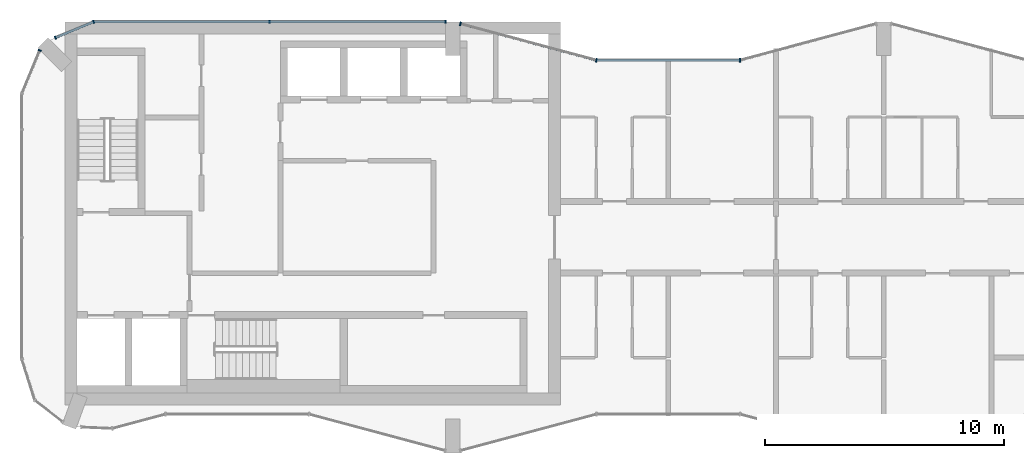
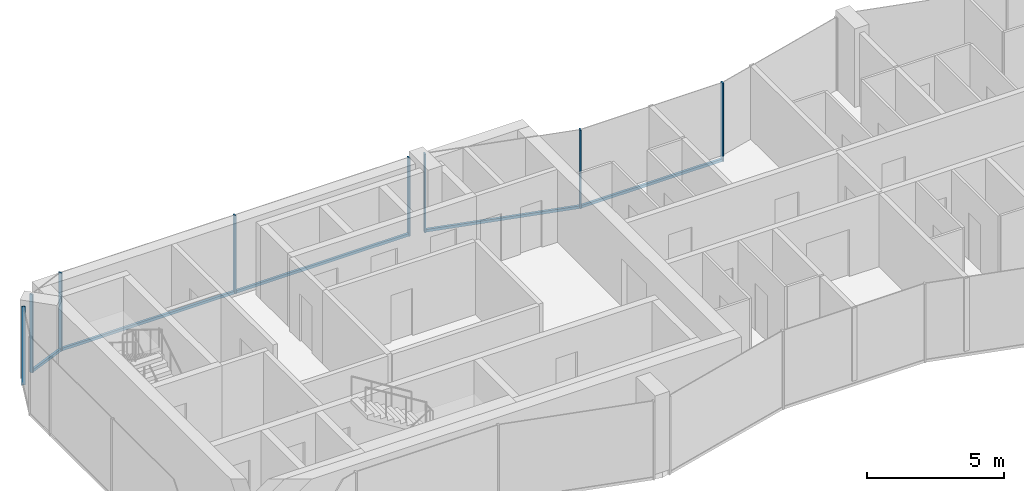
# One storey, part 4 of 10: 12 members, 5 elements without a shape of their own.
"""IFC4 building model written with IfcOpenShell, lengths in metres."""

from ifc_helpers import new_model, si_unit, direction, frame, origin, origin_2d, place, context, subcontext, project, spatial, rectangle, extrude, material, layer, layer_set, material_profile, profile_set, type_object, element, aggregate, save


model = new_model("IFC4")

# Units and contexts
model_context = context("Model", 3, precision=1e-05, world=origin(), true_north=direction((0.0, 1.0)))
body_context = subcontext(model_context, "Body", "Model", "MODEL_VIEW")
ifc_project = project(units=[si_unit("LENGTHUNIT", "METRE"), si_unit("AREAUNIT", "SQUARE_METRE"), si_unit("VOLUMEUNIT", "CUBIC_METRE"), si_unit("PLANEANGLEUNIT", "RADIAN"), si_unit("MASSUNIT", "GRAM", prefix="KILO")], contexts=[model_context])

# Site, building, storey
site_placement = place(None, origin())
site = spatial("IfcSite", under=ifc_project, at=site_placement, CompositionType="ELEMENT")
building_placement = place(site_placement, origin())
building = spatial("IfcBuilding", under=site, at=building_placement, Name="Plateau Cross Towers", CompositionType="ELEMENT")
storey_placement = place(building_placement, frame((0.0, 0.0, 252.89990234375)))
storey = spatial("IfcBuildingStorey", under=building, at=storey_placement, Name="L66", CompositionType="ELEMENT", Elevation=252.89990234375)

# Curtain wall, members
ifc_material_1 = material(Name="Dark low-iron glass", Category="glass")
ifc_layer_1 = layer(ifc_material_1, 0.239990234375)
ifc_layer_set_1 = layer_set([ifc_layer_1], Name="Dark low-iron glass")
curtain_wall_type_1 = type_object("IfcCurtainWallType", Name="Curtain wall flush unitised CW-B", PredefinedType="NOTDEFINED", material=ifc_layer_set_1)
curtain_wall_1_placement = place(storey_placement, origin())
curtain_wall_1 = element("IfcCurtainWall", 1, at=curtain_wall_1_placement, inside=storey, type_object=curtain_wall_type_1, Name="ENV/A/L66/A177_180", PredefinedType="NOTDEFINED")
ifc_material_2 = material(Name="Black anodised aluminium", Category="aluminium")
ifc_material_profile_1 = material_profile(ifc_material_2, rectangle(XDim=0.06005859375, YDim=0.139892578125, at=origin_2d()), Name="MULLION 60x140")
ifc_profile_set_1 = profile_set([ifc_material_profile_1], Name="Black anodised aluminium")
member_type_1 = type_object("IfcMemberType", Name="Mullion 60x140 flush unitised", PredefinedType="MULLION", material=ifc_profile_set_1)
member_1_placement = place(storey_placement, frame((17.699951171875, 18.0, -0.25), z_axis=(0.0, 0.0, 1.0), x_axis=(-1.0, 0.0, 0.0)))
member_1 = element("IfcMember", 2, at=member_1_placement, type_object=member_type_1, Name="CW-B mullion 1", PredefinedType="MULLION", context=body_context, shape_type="SweptSolid", body=[
    extrude(rectangle(XDim=0.06005859375, YDim=0.139892578125, at=origin_2d()), origin(), (0.0, 0.0, 1.0), 3.5),
])
member_2_placement = place(storey_placement, frame((10.35009765625, 18.0, -0.25), z_axis=(0.0, 0.0, 1.0), x_axis=(-1.0, 0.0, 0.0)))
member_2 = element("IfcMember", 3, at=member_2_placement, type_object=member_type_1, Name="CW-B mullion 2", PredefinedType="MULLION", context=body_context, shape_type="SweptSolid", body=[
    extrude(rectangle(XDim=0.06005859375, YDim=0.139892578125, at=origin_2d()), origin(), (0.0, 0.0, 1.0), 3.5),
])

curtain_wall_2_placement = place(storey_placement, origin())
curtain_wall_2 = element("IfcCurtainWall", 4, at=curtain_wall_2_placement, inside=storey, type_object=curtain_wall_type_1, Name="ENV/A/L66/A30_180", PredefinedType="NOTDEFINED")
member_3_placement = place(storey_placement, frame((3.0, 18.0, -0.25), z_axis=(0.0, 0.0, 1.0), x_axis=(-0.923879457699, -0.382683612978, 0.0)))
member_3 = element("IfcMember", 5, at=member_3_placement, type_object=member_type_1, Name="CW-B mullion 1", PredefinedType="MULLION", context=body_context, shape_type="SweptSolid", body=[
    extrude(rectangle(XDim=0.06005859375, YDim=0.139892578125, at=origin_2d()), origin(), (0.0, 0.0, 1.0), 3.5),
])
member_4_placement = place(storey_placement, frame((1.4033203125, 17.338623046875, -0.25), z_axis=(0.0, 0.0, 1.0), x_axis=(-0.923879457699, -0.382683612978, 0.0)))
member_4 = element("IfcMember", 6, at=member_4_placement, type_object=member_type_1, Name="CW-B mullion 2", PredefinedType="MULLION", context=body_context, shape_type="SweptSolid", body=[
    extrude(rectangle(XDim=0.06005859375, YDim=0.139892578125, at=origin_2d()), origin(), (0.0, 0.0, 1.0), 3.5),
])

# Curtain wall, member
curtain_wall_3_placement = place(storey_placement, origin())
curtain_wall_3 = element("IfcCurtainWall", 7, at=curtain_wall_3_placement, inside=storey, type_object=curtain_wall_type_1, Name="ENV/A/L66/A7_168", PredefinedType="NOTDEFINED")
member_5_placement = place(storey_placement, frame((0.748046875, 16.805908203125, -0.25), z_axis=(0.0, 0.0, 1.0), x_axis=(-0.382683612978, -0.923879457699, 0.0)))
member_5 = element("IfcMember", 8, at=member_5_placement, type_object=member_type_1, Name="CW-B mullion 1", PredefinedType="MULLION", context=body_context, shape_type="SweptSolid", body=[
    extrude(rectangle(XDim=0.06005859375, YDim=0.139892578125, at=origin_2d()), origin(), (0.0, 0.0, 1.0), 3.5),
])
aggregate(curtain_wall_3, [member_5])

ifc_layer_2 = layer(ifc_material_1, 0.260009765625)
ifc_layer_set_2 = layer_set([ifc_layer_2], Name="Dark low-iron glass")
curtain_wall_type_2 = type_object("IfcCurtainWallType", Name="Curtain wall fluted unitised CW-A", PredefinedType="NOTDEFINED", material=ifc_layer_set_2)
curtain_wall_4_placement = place(storey_placement, origin())
curtain_wall_4 = element("IfcCurtainWall", 9, at=curtain_wall_4_placement, inside=storey, type_object=curtain_wall_type_2, Name="ENV/A/L66/A300_164", PredefinedType="NOTDEFINED")
ifc_material_profile_2 = material_profile(ifc_material_2, rectangle(XDim=0.06005859375, YDim=0.159912109375, at=origin_2d()), Name="MULLION 60x160")
ifc_profile_set_2 = profile_set([ifc_material_profile_2], Name="Black anodised aluminium")
member_type_2 = type_object("IfcMemberType", Name="Mullion 60x160 fluted unitised", PredefinedType="MULLION", material=ifc_profile_set_2)
member_6_placement = place(storey_placement, frame((30.0, 16.39306640625, -0.25), z_axis=(0.0, 0.0, 1.0), x_axis=(-1.0, 0.0, 0.0)))
member_6 = element("IfcMember", 10, at=member_6_placement, type_object=member_type_2, Name="CW-A mullion 1", PredefinedType="MULLION", context=body_context, shape_type="SweptSolid", body=[
    extrude(rectangle(XDim=0.06005859375, YDim=0.159912109375, at=origin_2d()), origin(), (0.0, 0.0, 1.0), 3.5),
])

# Curtain wall, members
curtain_wall_5_placement = place(storey_placement, origin())
curtain_wall_5 = element("IfcCurtainWall", 11, at=curtain_wall_5_placement, inside=storey, type_object=curtain_wall_type_2, Name="ENV/A/L66/A240_164", PredefinedType="NOTDEFINED")
member_7_placement = place(storey_placement, frame((24.0, 16.39306640625, -0.25), z_axis=(0.0, 0.0, 1.0), x_axis=(-0.965957983404, 0.258699003279, 0.0)))
member_7 = element("IfcMember", 12, at=member_7_placement, type_object=member_type_2, Name="CW-A mullion 1", PredefinedType="MULLION", context=body_context, shape_type="SweptSolid", body=[
    extrude(rectangle(XDim=0.06005859375, YDim=0.159912109375, at=origin_2d()), origin(), (0.0, 0.0, 1.0), 3.5),
])
member_8_placement = place(storey_placement, frame((18.31787109375, 17.914794921875, -0.25), z_axis=(0.0, 0.0, 1.0), x_axis=(-0.965957983404, 0.258699003279, 0.0)))
member_8 = element("IfcMember", 13, at=member_8_placement, type_object=member_type_2, Name="CW-A mullion 2", PredefinedType="MULLION", context=body_context, shape_type="SweptSolid", body=[
    extrude(rectangle(XDim=0.06005859375, YDim=0.159912109375, at=origin_2d()), origin(), (0.0, 0.0, 1.0), 3.5),
])

# Member
ifc_material_profile_3 = material_profile(ifc_material_2, rectangle(XDim=0.10009765625, YDim=0.1201171875, at=origin_2d()), Name="TRANSOM 100x120")
ifc_profile_set_3 = profile_set([ifc_material_profile_3], Name="Black anodised aluminium")
member_type_3 = type_object("IfcMemberType", Name="Transom 100x120 flush unitised", PredefinedType="USERDEFINED", material=ifc_profile_set_3)
member_9_placement = place(storey_placement, frame((17.699951171875, 18.0, -0.18994140625), z_axis=(-1.0, 0.0, 0.0), x_axis=(0.0, -1.0, 0.0)))
member_9 = element("IfcMember", 14, at=member_9_placement, type_object=member_type_3, Name="CW-B transom", ObjectType="TRANSOM", PredefinedType="USERDEFINED", context=body_context, shape_type="SweptSolid", body=[
    extrude(rectangle(XDim=0.10009765625, YDim=0.1201171875, at=origin_2d()), origin(), (0.0, 0.0, 1.0), 14.699951171875),
])

aggregate(curtain_wall_1, [member_1, member_2, member_9])

member_10_placement = place(storey_placement, frame((3.0, 18.0, -0.18994140625), z_axis=(-0.923877369776, -0.382688653628, 0.0), x_axis=(0.382688653628, -0.923877369776, 0.0)))
member_10 = element("IfcMember", 15, at=member_10_placement, type_object=member_type_3, Name="CW-B transom", ObjectType="TRANSOM", PredefinedType="USERDEFINED", context=body_context, shape_type="SweptSolid", body=[
    extrude(rectangle(XDim=0.10009765625, YDim=0.1201171875, at=origin_2d()), origin(), (0.0, 0.0, 1.0), 1.728271484375),
])

aggregate(curtain_wall_2, [member_3, member_4, member_10])

ifc_material_profile_4 = material_profile(ifc_material_2, rectangle(XDim=0.10009765625, YDim=0.1201171875, at=origin_2d()), Name="TRANSOM 100x120")
ifc_profile_set_4 = profile_set([ifc_material_profile_4], Name="Black anodised aluminium")
member_type_4 = type_object("IfcMemberType", Name="Transom 100x120 fluted unitised", PredefinedType="USERDEFINED", material=ifc_profile_set_4)
member_11_placement = place(storey_placement, frame((30.0, 16.39306640625, -0.18994140625), z_axis=(-1.0, 0.0, 0.0), x_axis=(0.0, -1.0, 0.0)))
member_11 = element("IfcMember", 16, at=member_11_placement, type_object=member_type_4, Name="CW-A transom", ObjectType="TRANSOM", PredefinedType="USERDEFINED", context=body_context, shape_type="SweptSolid", body=[
    extrude(rectangle(XDim=0.10009765625, YDim=0.1201171875, at=origin_2d()), origin(), (0.0, 0.0, 1.0), 6.0),
])

aggregate(curtain_wall_4, [member_6, member_11])

member_12_placement = place(storey_placement, frame((24.0, 16.39306640625, -0.18994140625), z_axis=(-0.965959534794, 0.258693210465, 0.0), x_axis=(-0.258693210465, -0.965959534794, 0.0)))
member_12 = element("IfcMember", 17, at=member_12_placement, type_object=member_type_4, Name="CW-A transom", ObjectType="TRANSOM", PredefinedType="USERDEFINED", context=body_context, shape_type="SweptSolid", body=[
    extrude(rectangle(XDim=0.10009765625, YDim=0.1201171875, at=origin_2d()), origin(), (0.0, 0.0, 1.0), 5.88232421875),
])

aggregate(curtain_wall_5, [member_7, member_8, member_12])

save(model, "model.ifc")
